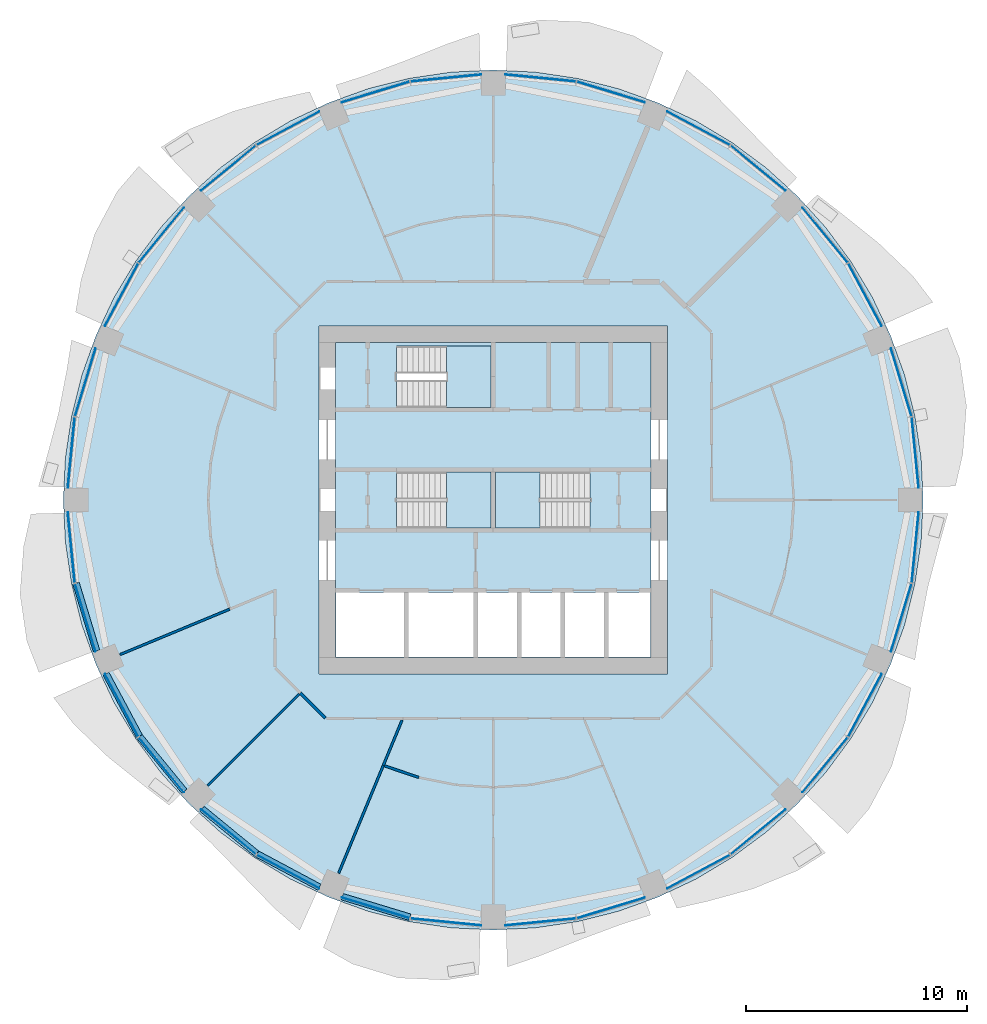
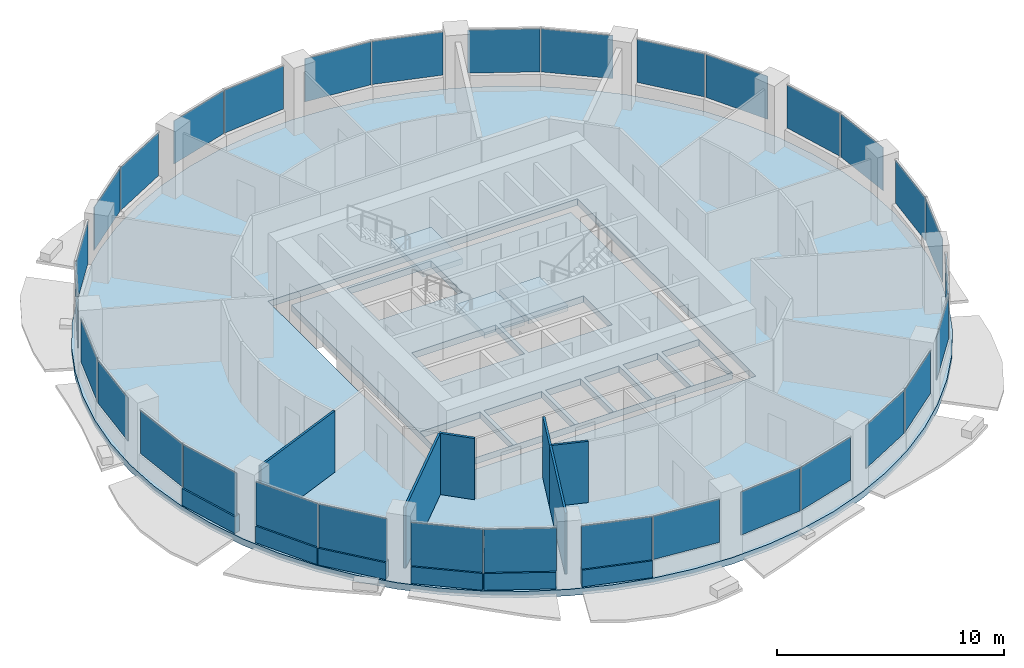
# One storey, part 7 of 15: 32 plates, 12 walls, 5 slabs, 19 elements without a shape of their own.
"""IFC4 building model written with IfcOpenShell, lengths in metres."""

from ifc_helpers import new_model, si_unit, direction, frame, frame_2d, origin, origin_2d, place, context, subcontext, project, spatial, polyline, rectangle, outline, extrude, material, layer, layer_set, type_object, element, aggregate, save


model = new_model("IFC4")

# Units and contexts
model_context = context("Model", 3, precision=1e-05, world=origin(), true_north=direction((0.0, 1.0)))
body_context = subcontext(model_context, "Body", "Model", "MODEL_VIEW")
ifc_project = project(units=[si_unit("LENGTHUNIT", "METRE"), si_unit("AREAUNIT", "SQUARE_METRE"), si_unit("VOLUMEUNIT", "CUBIC_METRE"), si_unit("PLANEANGLEUNIT", "RADIAN"), si_unit("MASSUNIT", "GRAM", prefix="KILO")], contexts=[model_context])

# Site, building, storey
site_placement = place(None, origin())
site = spatial("IfcSite", under=ifc_project, at=site_placement, CompositionType="ELEMENT")
building_placement = place(site_placement, origin())
building = spatial("IfcBuilding", under=site, at=building_placement, Name="Polderwave Tower", CompositionType="ELEMENT")
storey_placement = place(building_placement, frame((0.0, 0.0, 80.050048828125)))
storey = spatial("IfcBuildingStorey", under=building, at=storey_placement, Name="L20", CompositionType="ELEMENT", Elevation=80.050048828125)

# Slab
ifc_material_1 = material(Name="Concrete C40/50", Category="concrete")
ifc_layer_1 = layer(ifc_material_1, 0.35009765625)
ifc_layer_set_1 = layer_set([ifc_layer_1], Name="Core floor slab 350")
slab_type_1 = type_object("IfcSlabType", Name="Core floor slab 350", PredefinedType="FLOOR", material=ifc_layer_set_1)
slab_1_placement = place(storey_placement, frame((0.0, 0.0, -0.35009765625)))
element("IfcSlab", 1, at=slab_1_placement, inside=storey, type_object=slab_type_1, Name="L20 core floor", PredefinedType="FLOOR", context=body_context, shape_type="SweptSolid", body=[
    extrude(outline(polyline([(-7.1240234375, -7.1240234375), (7.1240234375, -7.1240234375), (7.1240234375, 7.1240234375), (-7.1240234375, 7.1240234375), (-7.1240234375, -7.1240234375)]), holes=[polyline([(-7.10400390625, -7.10400390625), (-4.037109375, -7.10400390625), (-4.037109375, -4.174072265625), (-7.10400390625, -4.174072265625), (-7.10400390625, -7.10400390625)]), polyline([(-3.8369140625, -7.10400390625), (-0.89990234375, -7.10400390625), (-0.89990234375, -4.174072265625), (-3.8369140625, -4.174072265625), (-3.8369140625, -7.10400390625)]), polyline([(-0.699951171875, -7.10400390625), (1.068603515625, -7.10400390625), (1.068603515625, -4.174072265625), (-0.699951171875, -4.174072265625), (-0.699951171875, -7.10400390625)]), polyline([(1.2685546875, -7.10400390625), (3.037109375, -7.10400390625), (3.037109375, -4.174072265625), (1.2685546875, -4.174072265625), (1.2685546875, -7.10400390625)]), polyline([(3.237060546875, -7.10400390625), (5.005615234375, -7.10400390625), (5.005615234375, -4.174072265625), (3.237060546875, -4.174072265625), (3.237060546875, -7.10400390625)]), polyline([(5.20556640625, -7.10400390625), (7.10400390625, -7.10400390625), (7.10400390625, -4.174072265625), (5.20556640625, -4.174072265625), (5.20556640625, -7.10400390625)]), polyline([(-4.37353515625, -1.2744140625), (-0.1005859375, -1.2744140625), (-0.1005859375, 1.2744140625), (-4.37353515625, 1.2744140625), (-4.37353515625, -1.2744140625)]), polyline([(0.1005859375, -1.2744140625), (4.37353515625, -1.2744140625), (4.37353515625, 1.2744140625), (0.1005859375, 1.2744140625), (0.1005859375, -1.2744140625)]), polyline([(-4.37353515625, 4.174560546875), (-0.1005859375, 4.174560546875), (-0.1005859375, 6.973388671875), (-4.37353515625, 6.973388671875), (-4.37353515625, 4.174560546875)])]), origin(), (0.0, 0.0, 1.0), 0.35009765625),
])

# Curtain wall, plates
ifc_material_2 = material(Name="Aluminium 6063-T6 and glass", Category="aluminium")
curtain_wall_type = type_object("IfcCurtainWallType", Name="Growing floor ribbon glazing wall", PredefinedType="NOTDEFINED", material=ifc_material_2)
curtain_wall_1_placement = place(storey_placement, origin())
curtain_wall_1 = element("IfcCurtainWall", 2, at=curtain_wall_1_placement, inside=storey, type_object=curtain_wall_type, Name="CW2 L20 00", PredefinedType="NOTDEFINED")
ifc_material_3 = material(Name="Glass, low-e laminated double glazing", Category="glass")
ifc_layer_2 = layer(ifc_material_3, 0.028076171875)
ifc_layer_set_2 = layer_set([ifc_layer_2], Name="Growing floor ribbon glazing glass panel 28 mm")
plate_type = type_object("IfcPlateType", Name="Growing floor ribbon glazing glass panel 28 mm", PredefinedType="CURTAIN_PANEL", material=ifc_layer_set_2)
plate_1_placement = place(storey_placement, frame((19.0791015625, 2.1416015625, 0.89990234375), z_axis=(0.0, 0.0, 1.0), x_axis=(-0.098185620651, 0.995168118409, 0.0)))
plate_1 = element("IfcPlate", 3, at=plate_1_placement, type_object=plate_type, Name="CW2 panel 1", PredefinedType="CURTAIN_PANEL", context=body_context, shape_type="SweptSolid", body=[
    extrude(rectangle(XDim=3.198486328125, YDim=0.028076171875, at=origin_2d()), origin(), (0.0, 0.0, 1.0), 2.320068359375),
])
plate_2_placement = place(storey_placement, frame((18.446044921875, 5.322509765625, 0.89990234375), z_axis=(0.0, 0.0, 1.0), x_axis=(-0.290187805562, 0.956969716085, 0.0)))
plate_2 = element("IfcPlate", 4, at=plate_2_placement, type_object=plate_type, Name="CW2 panel 2", PredefinedType="CURTAIN_PANEL", context=body_context, shape_type="SweptSolid", body=[
    extrude(rectangle(XDim=3.198974609375, YDim=0.028076171875, at=origin_2d()), origin(), (0.0, 0.0, 1.0), 2.320068359375),
])
aggregate(curtain_wall_1, [plate_1, plate_2])

curtain_wall_2_placement = place(storey_placement, origin())
curtain_wall_2 = element("IfcCurtainWall", 5, at=curtain_wall_2_placement, inside=storey, type_object=curtain_wall_type, Name="CW2 L20 01", PredefinedType="NOTDEFINED")
plate_3_placement = place(storey_placement, frame((16.80712890625, 9.27978515625, 0.89990234375), z_axis=(0.0, 0.0, 1.0), x_axis=(-0.471327469438, 0.881958285041, 0.0)))
plate_3 = element("IfcPlate", 6, at=plate_3_placement, type_object=plate_type, Name="CW2 panel 1", PredefinedType="CURTAIN_PANEL", context=body_context, shape_type="SweptSolid", body=[
    extrude(rectangle(XDim=3.19921875, YDim=0.028076171875, at=origin_2d()), origin(), (0.0, 0.0, 1.0), 2.320068359375),
])
plate_4_placement = place(storey_placement, frame((15.005615234375, 11.9765625, 0.89990234375), z_axis=(0.0, 0.0, 1.0), x_axis=(-0.634316379032, 0.773073561371, 0.0)))
plate_4 = element("IfcPlate", 7, at=plate_4_placement, type_object=plate_type, Name="CW2 panel 2", PredefinedType="CURTAIN_PANEL", context=body_context, shape_type="SweptSolid", body=[
    extrude(rectangle(XDim=3.19873046875, YDim=0.028076171875, at=origin_2d()), origin(), (0.0, 0.0, 1.0), 2.320068359375),
])
aggregate(curtain_wall_2, [plate_3, plate_4])

curtain_wall_3_placement = place(storey_placement, origin())
curtain_wall_3 = element("IfcCurtainWall", 8, at=curtain_wall_3_placement, inside=storey, type_object=curtain_wall_type, Name="CW2 L20 02", PredefinedType="NOTDEFINED")
plate_5_placement = place(storey_placement, frame((11.9765625, 15.005615234375, 0.89990234375), z_axis=(0.0, 0.0, 1.0), x_axis=(-0.773073561371, 0.634316379032, 0.0)))
plate_5 = element("IfcPlate", 9, at=plate_5_placement, type_object=plate_type, Name="CW2 panel 1", PredefinedType="CURTAIN_PANEL", context=body_context, shape_type="SweptSolid", body=[
    extrude(rectangle(XDim=3.19873046875, YDim=0.028076171875, at=origin_2d()), origin(), (0.0, 0.0, 1.0), 2.320068359375),
])
plate_6_placement = place(storey_placement, frame((9.27978515625, 16.80712890625, 0.89990234375), z_axis=(0.0, 0.0, 1.0), x_axis=(-0.881958285041, 0.471327469438, 0.0)))
plate_6 = element("IfcPlate", 10, at=plate_6_placement, type_object=plate_type, Name="CW2 panel 2", PredefinedType="CURTAIN_PANEL", context=body_context, shape_type="SweptSolid", body=[
    extrude(rectangle(XDim=3.19921875, YDim=0.028076171875, at=origin_2d()), origin(), (0.0, 0.0, 1.0), 2.320068359375),
])
aggregate(curtain_wall_3, [plate_5, plate_6])

curtain_wall_4_placement = place(storey_placement, origin())
curtain_wall_4 = element("IfcCurtainWall", 11, at=curtain_wall_4_placement, inside=storey, type_object=curtain_wall_type, Name="CW2 L20 03", PredefinedType="NOTDEFINED")
plate_7_placement = place(storey_placement, frame((5.322509765625, 18.446044921875, 0.89990234375), z_axis=(0.0, 0.0, 1.0), x_axis=(-0.956969716085, 0.290187805562, 0.0)))
plate_7 = element("IfcPlate", 12, at=plate_7_placement, type_object=plate_type, Name="CW2 panel 1", PredefinedType="CURTAIN_PANEL", context=body_context, shape_type="SweptSolid", body=[
    extrude(rectangle(XDim=3.198974609375, YDim=0.028076171875, at=origin_2d()), origin(), (0.0, 0.0, 1.0), 2.320068359375),
])
plate_8_placement = place(storey_placement, frame((2.1416015625, 19.0791015625, 0.89990234375), z_axis=(0.0, 0.0, 1.0), x_axis=(-0.995168118409, 0.098185620651, 0.0)))
plate_8 = element("IfcPlate", 13, at=plate_8_placement, type_object=plate_type, Name="CW2 panel 2", PredefinedType="CURTAIN_PANEL", context=body_context, shape_type="SweptSolid", body=[
    extrude(rectangle(XDim=3.198486328125, YDim=0.028076171875, at=origin_2d()), origin(), (0.0, 0.0, 1.0), 2.320068359375),
])
aggregate(curtain_wall_4, [plate_7, plate_8])

curtain_wall_5_placement = place(storey_placement, origin())
curtain_wall_5 = element("IfcCurtainWall", 14, at=curtain_wall_5_placement, inside=storey, type_object=curtain_wall_type, Name="CW2 L20 04", PredefinedType="NOTDEFINED")
plate_9_placement = place(storey_placement, frame((-2.1416015625, 19.0791015625, 0.89990234375), z_axis=(0.0, 0.0, 1.0), x_axis=(-0.995168118409, -0.098185620651, 0.0)))
plate_9 = element("IfcPlate", 15, at=plate_9_placement, type_object=plate_type, Name="CW2 panel 1", PredefinedType="CURTAIN_PANEL", context=body_context, shape_type="SweptSolid", body=[
    extrude(rectangle(XDim=3.198486328125, YDim=0.028076171875, at=origin_2d()), origin(), (0.0, 0.0, 1.0), 2.320068359375),
])
plate_10_placement = place(storey_placement, frame((-5.322509765625, 18.446044921875, 0.89990234375), z_axis=(0.0, 0.0, 1.0), x_axis=(-0.956969716085, -0.290187805562, 0.0)))
plate_10 = element("IfcPlate", 16, at=plate_10_placement, type_object=plate_type, Name="CW2 panel 2", PredefinedType="CURTAIN_PANEL", context=body_context, shape_type="SweptSolid", body=[
    extrude(rectangle(XDim=3.198974609375, YDim=0.028076171875, at=origin_2d()), origin(), (0.0, 0.0, 1.0), 2.320068359375),
])
aggregate(curtain_wall_5, [plate_9, plate_10])

curtain_wall_6_placement = place(storey_placement, origin())
curtain_wall_6 = element("IfcCurtainWall", 17, at=curtain_wall_6_placement, inside=storey, type_object=curtain_wall_type, Name="CW2 L20 05", PredefinedType="NOTDEFINED")
plate_11_placement = place(storey_placement, frame((-9.27978515625, 16.80712890625, 0.89990234375), z_axis=(0.0, 0.0, 1.0), x_axis=(-0.881958285041, -0.471327469438, 0.0)))
plate_11 = element("IfcPlate", 18, at=plate_11_placement, type_object=plate_type, Name="CW2 panel 1", PredefinedType="CURTAIN_PANEL", context=body_context, shape_type="SweptSolid", body=[
    extrude(rectangle(XDim=3.19921875, YDim=0.028076171875, at=origin_2d()), origin(), (0.0, 0.0, 1.0), 2.320068359375),
])
plate_12_placement = place(storey_placement, frame((-11.9765625, 15.005615234375, 0.89990234375), z_axis=(0.0, 0.0, 1.0), x_axis=(-0.773073561371, -0.634316379032, 0.0)))
plate_12 = element("IfcPlate", 19, at=plate_12_placement, type_object=plate_type, Name="CW2 panel 2", PredefinedType="CURTAIN_PANEL", context=body_context, shape_type="SweptSolid", body=[
    extrude(rectangle(XDim=3.19873046875, YDim=0.028076171875, at=origin_2d()), origin(), (0.0, 0.0, 1.0), 2.320068359375),
])
aggregate(curtain_wall_6, [plate_11, plate_12])

curtain_wall_7_placement = place(storey_placement, origin())
curtain_wall_7 = element("IfcCurtainWall", 20, at=curtain_wall_7_placement, inside=storey, type_object=curtain_wall_type, Name="CW2 L20 06", PredefinedType="NOTDEFINED")
plate_13_placement = place(storey_placement, frame((-15.005615234375, 11.9765625, 0.89990234375), z_axis=(0.0, 0.0, 1.0), x_axis=(-0.634316379032, -0.773073561371, 0.0)))
plate_13 = element("IfcPlate", 21, at=plate_13_placement, type_object=plate_type, Name="CW2 panel 1", PredefinedType="CURTAIN_PANEL", context=body_context, shape_type="SweptSolid", body=[
    extrude(rectangle(XDim=3.19873046875, YDim=0.028076171875, at=origin_2d()), origin(), (0.0, 0.0, 1.0), 2.320068359375),
])
plate_14_placement = place(storey_placement, frame((-16.80712890625, 9.27978515625, 0.89990234375), z_axis=(0.0, 0.0, 1.0), x_axis=(-0.471327469438, -0.881958285041, 0.0)))
plate_14 = element("IfcPlate", 22, at=plate_14_placement, type_object=plate_type, Name="CW2 panel 2", PredefinedType="CURTAIN_PANEL", context=body_context, shape_type="SweptSolid", body=[
    extrude(rectangle(XDim=3.19921875, YDim=0.028076171875, at=origin_2d()), origin(), (0.0, 0.0, 1.0), 2.320068359375),
])
aggregate(curtain_wall_7, [plate_13, plate_14])

curtain_wall_8_placement = place(storey_placement, origin())
curtain_wall_8 = element("IfcCurtainWall", 23, at=curtain_wall_8_placement, inside=storey, type_object=curtain_wall_type, Name="CW2 L20 07", PredefinedType="NOTDEFINED")
plate_15_placement = place(storey_placement, frame((-18.446044921875, 5.322509765625, 0.89990234375), z_axis=(0.0, 0.0, 1.0), x_axis=(-0.290187805562, -0.956969716085, 0.0)))
plate_15 = element("IfcPlate", 24, at=plate_15_placement, type_object=plate_type, Name="CW2 panel 1", PredefinedType="CURTAIN_PANEL", context=body_context, shape_type="SweptSolid", body=[
    extrude(rectangle(XDim=3.198974609375, YDim=0.028076171875, at=origin_2d()), origin(), (0.0, 0.0, 1.0), 2.320068359375),
])
plate_16_placement = place(storey_placement, frame((-19.0791015625, 2.1416015625, 0.89990234375), z_axis=(0.0, 0.0, 1.0), x_axis=(-0.098185620651, -0.995168118409, 0.0)))
plate_16 = element("IfcPlate", 25, at=plate_16_placement, type_object=plate_type, Name="CW2 panel 2", PredefinedType="CURTAIN_PANEL", context=body_context, shape_type="SweptSolid", body=[
    extrude(rectangle(XDim=3.198486328125, YDim=0.028076171875, at=origin_2d()), origin(), (0.0, 0.0, 1.0), 2.320068359375),
])
aggregate(curtain_wall_8, [plate_15, plate_16])

curtain_wall_9_placement = place(storey_placement, origin())
curtain_wall_9 = element("IfcCurtainWall", 26, at=curtain_wall_9_placement, inside=storey, type_object=curtain_wall_type, Name="CW2 L20 08", PredefinedType="NOTDEFINED")
plate_17_placement = place(storey_placement, frame((-19.0791015625, -2.1416015625, 0.89990234375), z_axis=(0.0, 0.0, 1.0), x_axis=(0.098185620651, -0.995168118409, 0.0)))
plate_17 = element("IfcPlate", 27, at=plate_17_placement, type_object=plate_type, Name="CW2 panel 1", PredefinedType="CURTAIN_PANEL", context=body_context, shape_type="SweptSolid", body=[
    extrude(rectangle(XDim=3.198486328125, YDim=0.028076171875, at=origin_2d()), origin(), (0.0, 0.0, 1.0), 2.320068359375),
])
plate_18_placement = place(storey_placement, frame((-18.446044921875, -5.322509765625, 0.89990234375), z_axis=(0.0, 0.0, 1.0), x_axis=(0.290187805562, -0.956969716085, 0.0)))
plate_18 = element("IfcPlate", 28, at=plate_18_placement, type_object=plate_type, Name="CW2 panel 2", PredefinedType="CURTAIN_PANEL", context=body_context, shape_type="SweptSolid", body=[
    extrude(rectangle(XDim=3.198974609375, YDim=0.028076171875, at=origin_2d()), origin(), (0.0, 0.0, 1.0), 2.320068359375),
])
aggregate(curtain_wall_9, [plate_17, plate_18])

curtain_wall_10_placement = place(storey_placement, origin())
curtain_wall_10 = element("IfcCurtainWall", 29, at=curtain_wall_10_placement, inside=storey, type_object=curtain_wall_type, Name="CW2 L20 09", PredefinedType="NOTDEFINED")
plate_19_placement = place(storey_placement, frame((-16.80712890625, -9.27978515625, 0.89990234375), z_axis=(0.0, 0.0, 1.0), x_axis=(0.471327469438, -0.881958285041, 0.0)))
plate_19 = element("IfcPlate", 30, at=plate_19_placement, type_object=plate_type, Name="CW2 panel 1", PredefinedType="CURTAIN_PANEL", context=body_context, shape_type="SweptSolid", body=[
    extrude(rectangle(XDim=3.19921875, YDim=0.028076171875, at=origin_2d()), origin(), (0.0, 0.0, 1.0), 2.320068359375),
])
plate_20_placement = place(storey_placement, frame((-15.005615234375, -11.9765625, 0.89990234375), z_axis=(0.0, 0.0, 1.0), x_axis=(0.634316379032, -0.773073561371, 0.0)))
plate_20 = element("IfcPlate", 31, at=plate_20_placement, type_object=plate_type, Name="CW2 panel 2", PredefinedType="CURTAIN_PANEL", context=body_context, shape_type="SweptSolid", body=[
    extrude(rectangle(XDim=3.19873046875, YDim=0.028076171875, at=origin_2d()), origin(), (0.0, 0.0, 1.0), 2.320068359375),
])
aggregate(curtain_wall_10, [plate_19, plate_20])

curtain_wall_11_placement = place(storey_placement, origin())
curtain_wall_11 = element("IfcCurtainWall", 32, at=curtain_wall_11_placement, inside=storey, type_object=curtain_wall_type, Name="CW2 L20 10", PredefinedType="NOTDEFINED")
plate_21_placement = place(storey_placement, frame((-11.9765625, -15.005615234375, 0.89990234375), z_axis=(0.0, 0.0, 1.0), x_axis=(0.773073561371, -0.634316379032, 0.0)))
plate_21 = element("IfcPlate", 33, at=plate_21_placement, type_object=plate_type, Name="CW2 panel 1", PredefinedType="CURTAIN_PANEL", context=body_context, shape_type="SweptSolid", body=[
    extrude(rectangle(XDim=3.19873046875, YDim=0.028076171875, at=origin_2d()), origin(), (0.0, 0.0, 1.0), 2.320068359375),
])
plate_22_placement = place(storey_placement, frame((-9.27978515625, -16.80712890625, 0.89990234375), z_axis=(0.0, 0.0, 1.0), x_axis=(0.881958285041, -0.471327469438, 0.0)))
plate_22 = element("IfcPlate", 34, at=plate_22_placement, type_object=plate_type, Name="CW2 panel 2", PredefinedType="CURTAIN_PANEL", context=body_context, shape_type="SweptSolid", body=[
    extrude(rectangle(XDim=3.19921875, YDim=0.028076171875, at=origin_2d()), origin(), (0.0, 0.0, 1.0), 2.320068359375),
])
aggregate(curtain_wall_11, [plate_21, plate_22])

curtain_wall_12_placement = place(storey_placement, origin())
curtain_wall_12 = element("IfcCurtainWall", 35, at=curtain_wall_12_placement, inside=storey, type_object=curtain_wall_type, Name="CW2 L20 11", PredefinedType="NOTDEFINED")
plate_23_placement = place(storey_placement, frame((-5.322509765625, -18.446044921875, 0.89990234375), z_axis=(0.0, 0.0, 1.0), x_axis=(0.956969716085, -0.290187805562, 0.0)))
plate_23 = element("IfcPlate", 36, at=plate_23_placement, type_object=plate_type, Name="CW2 panel 1", PredefinedType="CURTAIN_PANEL", context=body_context, shape_type="SweptSolid", body=[
    extrude(rectangle(XDim=3.198974609375, YDim=0.028076171875, at=origin_2d()), origin(), (0.0, 0.0, 1.0), 2.320068359375),
])
plate_24_placement = place(storey_placement, frame((-2.1416015625, -19.0791015625, 0.89990234375), z_axis=(0.0, 0.0, 1.0), x_axis=(0.995168118409, -0.098185620651, 0.0)))
plate_24 = element("IfcPlate", 37, at=plate_24_placement, type_object=plate_type, Name="CW2 panel 2", PredefinedType="CURTAIN_PANEL", context=body_context, shape_type="SweptSolid", body=[
    extrude(rectangle(XDim=3.198486328125, YDim=0.028076171875, at=origin_2d()), origin(), (0.0, 0.0, 1.0), 2.320068359375),
])
aggregate(curtain_wall_12, [plate_23, plate_24])

curtain_wall_13_placement = place(storey_placement, origin())
curtain_wall_13 = element("IfcCurtainWall", 38, at=curtain_wall_13_placement, inside=storey, type_object=curtain_wall_type, Name="CW2 L20 12", PredefinedType="NOTDEFINED")
plate_25_placement = place(storey_placement, frame((2.1416015625, -19.0791015625, 0.89990234375), z_axis=(0.0, 0.0, 1.0), x_axis=(0.995168118409, 0.098185620651, 0.0)))
plate_25 = element("IfcPlate", 39, at=plate_25_placement, type_object=plate_type, Name="CW2 panel 1", PredefinedType="CURTAIN_PANEL", context=body_context, shape_type="SweptSolid", body=[
    extrude(rectangle(XDim=3.198486328125, YDim=0.028076171875, at=origin_2d()), origin(), (0.0, 0.0, 1.0), 2.320068359375),
])
plate_26_placement = place(storey_placement, frame((5.322509765625, -18.446044921875, 0.89990234375), z_axis=(0.0, 0.0, 1.0), x_axis=(0.956969716085, 0.290187805562, 0.0)))
plate_26 = element("IfcPlate", 40, at=plate_26_placement, type_object=plate_type, Name="CW2 panel 2", PredefinedType="CURTAIN_PANEL", context=body_context, shape_type="SweptSolid", body=[
    extrude(rectangle(XDim=3.198974609375, YDim=0.028076171875, at=origin_2d()), origin(), (0.0, 0.0, 1.0), 2.320068359375),
])
aggregate(curtain_wall_13, [plate_25, plate_26])

curtain_wall_14_placement = place(storey_placement, origin())
curtain_wall_14 = element("IfcCurtainWall", 41, at=curtain_wall_14_placement, inside=storey, type_object=curtain_wall_type, Name="CW2 L20 13", PredefinedType="NOTDEFINED")
plate_27_placement = place(storey_placement, frame((9.27978515625, -16.80712890625, 0.89990234375), z_axis=(0.0, 0.0, 1.0), x_axis=(0.881958285041, 0.471327469438, 0.0)))
plate_27 = element("IfcPlate", 42, at=plate_27_placement, type_object=plate_type, Name="CW2 panel 1", PredefinedType="CURTAIN_PANEL", context=body_context, shape_type="SweptSolid", body=[
    extrude(rectangle(XDim=3.19921875, YDim=0.028076171875, at=origin_2d()), origin(), (0.0, 0.0, 1.0), 2.320068359375),
])
plate_28_placement = place(storey_placement, frame((11.9765625, -15.005615234375, 0.89990234375), z_axis=(0.0, 0.0, 1.0), x_axis=(0.773073561371, 0.634316379032, 0.0)))
plate_28 = element("IfcPlate", 43, at=plate_28_placement, type_object=plate_type, Name="CW2 panel 2", PredefinedType="CURTAIN_PANEL", context=body_context, shape_type="SweptSolid", body=[
    extrude(rectangle(XDim=3.19873046875, YDim=0.028076171875, at=origin_2d()), origin(), (0.0, 0.0, 1.0), 2.320068359375),
])
aggregate(curtain_wall_14, [plate_27, plate_28])

curtain_wall_15_placement = place(storey_placement, origin())
curtain_wall_15 = element("IfcCurtainWall", 44, at=curtain_wall_15_placement, inside=storey, type_object=curtain_wall_type, Name="CW2 L20 14", PredefinedType="NOTDEFINED")
plate_29_placement = place(storey_placement, frame((15.005615234375, -11.9765625, 0.89990234375), z_axis=(0.0, 0.0, 1.0), x_axis=(0.634316379032, 0.773073561371, 0.0)))
plate_29 = element("IfcPlate", 45, at=plate_29_placement, type_object=plate_type, Name="CW2 panel 1", PredefinedType="CURTAIN_PANEL", context=body_context, shape_type="SweptSolid", body=[
    extrude(rectangle(XDim=3.19873046875, YDim=0.028076171875, at=origin_2d()), origin(), (0.0, 0.0, 1.0), 2.320068359375),
])
plate_30_placement = place(storey_placement, frame((16.80712890625, -9.27978515625, 0.89990234375), z_axis=(0.0, 0.0, 1.0), x_axis=(0.471327469438, 0.881958285041, 0.0)))
plate_30 = element("IfcPlate", 46, at=plate_30_placement, type_object=plate_type, Name="CW2 panel 2", PredefinedType="CURTAIN_PANEL", context=body_context, shape_type="SweptSolid", body=[
    extrude(rectangle(XDim=3.19921875, YDim=0.028076171875, at=origin_2d()), origin(), (0.0, 0.0, 1.0), 2.320068359375),
])
aggregate(curtain_wall_15, [plate_29, plate_30])

curtain_wall_16_placement = place(storey_placement, origin())
curtain_wall_16 = element("IfcCurtainWall", 47, at=curtain_wall_16_placement, inside=storey, type_object=curtain_wall_type, Name="CW2 L20 15", PredefinedType="NOTDEFINED")
plate_31_placement = place(storey_placement, frame((18.446044921875, -5.322509765625, 0.89990234375), z_axis=(0.0, 0.0, 1.0), x_axis=(0.290187805562, 0.956969716085, 0.0)))
plate_31 = element("IfcPlate", 48, at=plate_31_placement, type_object=plate_type, Name="CW2 panel 1", PredefinedType="CURTAIN_PANEL", context=body_context, shape_type="SweptSolid", body=[
    extrude(rectangle(XDim=3.198974609375, YDim=0.028076171875, at=origin_2d()), origin(), (0.0, 0.0, 1.0), 2.320068359375),
])
plate_32_placement = place(storey_placement, frame((19.0791015625, -2.1416015625, 0.89990234375), z_axis=(0.0, 0.0, 1.0), x_axis=(0.098185620651, 0.995168118409, 0.0)))
plate_32 = element("IfcPlate", 49, at=plate_32_placement, type_object=plate_type, Name="CW2 panel 2", PredefinedType="CURTAIN_PANEL", context=body_context, shape_type="SweptSolid", body=[
    extrude(rectangle(XDim=3.198486328125, YDim=0.028076171875, at=origin_2d()), origin(), (0.0, 0.0, 1.0), 2.320068359375),
])
aggregate(curtain_wall_16, [plate_31, plate_32])

# Slab
ifc_layer_3 = layer(ifc_material_1, 0.35009765625)
ifc_layer_set_3 = layer_set([ifc_layer_3], Name="PT FLOOR SLAB 350 C40/50")
slab_type_2 = type_object("IfcSlabType", Name="PT FLOOR SLAB 350 C40/50", PredefinedType="FLOOR", material=ifc_layer_set_3)
slab_2_placement = place(storey_placement, frame((0.0, 0.0, -0.35009765625)))
element("IfcSlab", 50, at=slab_2_placement, inside=storey, type_object=slab_type_2, Name="ST-SLAB-L20", PredefinedType="FLOOR", context=body_context, shape_type="SweptSolid", body=[
    extrude(outline(polyline([(19.43994140625, 0.0), (19.346435546875, 1.905517578125), (19.06640625, 3.79248046875), (18.602783203125, 5.64306640625), (17.960205078125, 7.439453125), (17.14453125, 9.1640625), (16.163818359375, 10.80029296875), (15.02734375, 12.33251953125), (13.74609375, 13.74609375), (12.33251953125, 15.02734375), (10.80029296875, 16.163818359375), (9.1640625, 17.14453125), (7.439453125, 17.960205078125), (5.64306640625, 18.602783203125), (3.79248046875, 19.06640625), (1.905517578125, 19.346435546875), (0.0, 19.43994140625), (-1.905517578125, 19.346435546875), (-3.79248046875, 19.06640625), (-5.64306640625, 18.602783203125), (-7.439453125, 17.960205078125), (-9.1640625, 17.14453125), (-10.80029296875, 16.163818359375), (-12.33251953125, 15.02734375), (-13.74609375, 13.74609375), (-15.02734375, 12.33251953125), (-16.163818359375, 10.80029296875), (-17.14453125, 9.1640625), (-17.960205078125, 7.439453125), (-18.602783203125, 5.64306640625), (-19.06640625, 3.79248046875), (-19.346435546875, 1.905517578125), (-19.43994140625, 0.0), (-19.346435546875, -1.905517578125), (-19.06640625, -3.79248046875), (-18.602783203125, -5.64306640625), (-17.960205078125, -7.439453125), (-17.14453125, -9.1640625), (-16.163818359375, -10.80029296875), (-15.02734375, -12.33251953125), (-13.74609375, -13.74609375), (-12.33251953125, -15.02734375), (-10.80029296875, -16.163818359375), (-9.1640625, -17.14453125), (-7.439453125, -17.960205078125), (-5.64306640625, -18.602783203125), (-3.79248046875, -19.06640625), (-1.905517578125, -19.346435546875), (0.0, -19.43994140625), (1.905517578125, -19.346435546875), (3.79248046875, -19.06640625), (5.64306640625, -18.602783203125), (7.439453125, -17.960205078125), (9.1640625, -17.14453125), (10.80029296875, -16.163818359375), (12.33251953125, -15.02734375), (13.74609375, -13.74609375), (15.02734375, -12.33251953125), (16.163818359375, -10.80029296875), (17.14453125, -9.1640625), (17.960205078125, -7.439453125), (18.602783203125, -5.64306640625), (19.06640625, -3.79248046875), (19.346435546875, -1.905517578125), (19.43994140625, 0.0)]), holes=[polyline([(-7.8740234375, -7.8740234375), (7.8740234375, -7.8740234375), (7.8740234375, 7.8740234375), (-7.8740234375, 7.8740234375), (-7.8740234375, -7.8740234375)])]), origin(), (0.0, 0.0, 1.0), 0.35009765625),
])

# Stair, slab
stair_type = type_object("IfcStairType", Name="Exit stair 1200 x 20 risers", PredefinedType="HALF_TURN_STAIR", material=ifc_material_1)
stair_1_placement = place(storey_placement, origin())
stair_1 = element("IfcStair", 51, at=stair_1_placement, inside=storey, type_object=stair_type, Name="L20 Exit stair A", PredefinedType="HALF_TURN_STAIR")
ifc_layer_4 = layer(ifc_material_1, 0.300048828125)
ifc_layer_set_4 = layer_set([ifc_layer_4], Name="Stair landing 300")
slab_type_3 = type_object("IfcSlabType", Name="Stair landing 300", PredefinedType="LANDING", material=ifc_layer_set_4)
slab_3_placement = place(storey_placement, frame((0.0, 0.0, 1.52490234375)))
slab_3 = element("IfcSlab", 52, at=slab_3_placement, type_object=slab_type_3, Name="ST-A landing 1", PredefinedType="LANDING", context=body_context, shape_type="SweptSolid", body=[
    extrude(outline(polyline([(-2.1240234375, -1.27490234375), (-0.10009765625, -1.27490234375), (-0.10009765625, 1.27490234375), (-2.1240234375, 1.27490234375), (-2.1240234375, -1.27490234375)])), origin(), (0.0, 0.0, 1.0), 0.300048828125),
])
aggregate(stair_1, [slab_3])

stair_2_placement = place(storey_placement, origin())
stair_2 = element("IfcStair", 53, at=stair_2_placement, inside=storey, type_object=stair_type, Name="L20 Exit stair B", PredefinedType="HALF_TURN_STAIR")
slab_4_placement = place(storey_placement, frame((0.0, 0.0, 1.52490234375)))
slab_4 = element("IfcSlab", 54, at=slab_4_placement, type_object=slab_type_3, Name="ST-B landing 1", PredefinedType="LANDING", context=body_context, shape_type="SweptSolid", body=[
    extrude(outline(polyline([(2.1240234375, 1.27490234375), (0.10009765625, 1.27490234375), (0.10009765625, -1.27490234375), (2.1240234375, -1.27490234375), (2.1240234375, 1.27490234375)])), origin(), (0.0, 0.0, 1.0), 0.300048828125),
])
aggregate(stair_2, [slab_4])

stair_3_placement = place(storey_placement, origin())
stair_3 = element("IfcStair", 55, at=stair_3_placement, inside=storey, type_object=stair_type, Name="L20 Exit stair C", PredefinedType="HALF_TURN_STAIR")
slab_5_placement = place(storey_placement, frame((0.0, 0.0, 1.52490234375)))
slab_5 = element("IfcSlab", 56, at=slab_5_placement, type_object=slab_type_3, Name="ST-C landing 1", PredefinedType="LANDING", context=body_context, shape_type="SweptSolid", body=[
    extrude(outline(polyline([(-2.1240234375, 4.174072265625), (-0.10009765625, 4.174072265625), (-0.10009765625, 6.97412109375), (-2.1240234375, 6.97412109375), (-2.1240234375, 4.174072265625)])), origin(), (0.0, 0.0, 1.0), 0.300048828125),
])
aggregate(stair_3, [slab_5])

# Walls
ifc_material_4 = material(Name="Concrete C50/60 (board-marked)", Category="concrete")
ifc_layer_5 = layer(ifc_material_4, 0.300048828125)
ifc_layer_set_5 = layer_set([ifc_layer_5], Name="Concrete spandrel upstand C50/60")
wall_type_1 = type_object("IfcWallType", Name="Concrete spandrel upstand C50/60", PredefinedType="SOLIDWALL", material=ifc_layer_set_5)
wall_1_placement = place(storey_placement, frame((-18.865478515625, -3.767333984375, 0.0), z_axis=(0.0, 0.0, 1.0), x_axis=(0.290238876314, -0.956954228099, 0.0)))
element("IfcWall", 57, at=wall_1_placement, inside=storey, type_object=wall_type_1, Name="Spandrel L20 9b", PredefinedType="SOLIDWALL", context=body_context, shape_type="SweptSolid", body=[
    extrude(rectangle(XDim=3.190673828125, YDim=0.300048828125, at=frame_2d((1.59521484375, 0.0))), origin(), (0.0, 0.0, 1.0), 0.89990234375),
])
for number, where, z_axis, x_axis, name in (
    (58, (-17.5078125, -7.8623046875, 0.0), (0.0, 0.0, 1.0), (0.471354692163, -0.8819437364, 0.0), "Spandrel L20 10a"),
    (59, (-15.987548828125, -10.70068359375, 0.0), (0.0, 0.0, 1.0), (0.63411253447, -0.773240773387, 0.0), "Spandrel L20 10b"),
    (60, (-13.16748046875, -13.964599609375, 0.0), (0.0, 0.0, 1.0), (0.773240773387, -0.63411253447, 0.0), "Spandrel L20 11a"),
    (61, (-10.67578125, -16.004150390625, 0.0), (0.0, 0.0, 1.0), (0.8819437364, -0.471354692163, 0.0), "Spandrel L20 11b"),
):
    element("IfcWall", number, at=place(storey_placement, frame(where, z_axis=z_axis, x_axis=x_axis)), inside=storey, type_object=wall_type_1, Name=name, PredefinedType="SOLIDWALL", context=body_context, shape_type="SweptSolid", body=[
        extrude(rectangle(XDim=3.190185546875, YDim=0.300048828125, at=frame_2d((1.59521484375, 0.0))), origin(), (0.0, 0.0, 1.0), 0.89990234375),
    ])
wall_2_placement = place(storey_placement, frame((-6.820556640625, -17.939453125, 0.0), z_axis=(0.0, 0.0, 1.0), x_axis=(0.956954228099, -0.290238876314, 0.0)))
element("IfcWall", 62, at=wall_2_placement, inside=storey, type_object=wall_type_1, Name="Spandrel L20 12a", PredefinedType="SOLIDWALL", context=body_context, shape_type="SweptSolid", body=[
    extrude(rectangle(XDim=3.190673828125, YDim=0.300048828125, at=frame_2d((1.59521484375, 0.0))), origin(), (0.0, 0.0, 1.0), 0.89990234375),
])
ifc_material_5 = material(Name="Fire-resisting board on steel studs", Category="steel")
ifc_layer_6 = layer(ifc_material_5, 0.125)
ifc_layer_set_6 = layer_set([ifc_layer_6], Name="Corridor wall 125 mm EI 60")
wall_type_2 = type_object("IfcWallType", Name="Corridor wall 125 mm EI 60", PredefinedType="PARTITIONING", material=ifc_layer_set_6)
wall_3_placement = place(storey_placement, frame((-7.58935546875, -9.855712890625, 0.0), z_axis=(0.0, 0.0, 1.0), x_axis=(-0.707030604857, 0.70718294931, 0.0)))
element("IfcWall", 63, at=wall_3_placement, inside=storey, type_object=wall_type_2, Name="IN-L20-W016", PredefinedType="PARTITIONING", context=body_context, shape_type="SweptSolid", body=[
    extrude(rectangle(XDim=1.6025390625, YDim=0.125, at=frame_2d((0.80126953125, 0.0))), origin(), (0.0, 0.0, 1.0), 3.300048828125),
])
ifc_material_6 = material(Name="Moisture-resistant board on steel studs, tiled", Category="steel")
ifc_layer_7 = layer(ifc_material_6, 0.10498046875)
ifc_layer_set_7 = layer_set([ifc_layer_7], Name="Partition 105 mm wet room board and tile")
wall_type_3 = type_object("IfcWallType", Name="Partition 105 mm wet room board and tile", PredefinedType="PARTITIONING", material=ifc_layer_set_7)
wall_4_placement = place(storey_placement, frame((-11.90869140625, -4.932861328125, 0.0), z_axis=(0.0, 0.0, 1.0), x_axis=(-0.923889947991, -0.382658286204, 0.0)))
element("IfcWall", 64, at=wall_4_placement, inside=storey, type_object=wall_type_3, Name="IN-L20-W052", PredefinedType="PARTITIONING", context=body_context, shape_type="SweptSolid", body=[
    extrude(rectangle(XDim=5.3701171875, YDim=0.10498046875, at=frame_2d((2.68505859375, 0.0))), origin(), (0.0, 0.0, 1.0), 3.300048828125),
])
wall_5_placement = place(storey_placement, frame((-12.911865234375, -12.911865234375, 0.0), z_axis=(0.0, 0.0, 1.0), x_axis=(0.707106781187, 0.707106781187, 0.0)))
element("IfcWall", 65, at=wall_5_placement, inside=storey, type_object=wall_type_3, Name="IN-L20-W053", PredefinedType="PARTITIONING", context=body_context, shape_type="SweptSolid", body=[
    extrude(rectangle(XDim=5.8623046875, YDim=0.10498046875, at=frame_2d((2.93115234375, 0.0))), origin(), (0.0, 0.0, 1.0), 3.300048828125),
])
wall_6_placement = place(storey_placement, frame((-4.1240234375, -9.95654296875, 0.0), z_axis=(0.0, 0.0, 1.0), x_axis=(-0.382679799248, -0.923881037389, 0.0)))
element("IfcWall", 66, at=wall_6_placement, inside=storey, type_object=wall_type_3, Name="IN-L20-W054", PredefinedType="PARTITIONING", context=body_context, shape_type="SweptSolid", body=[
    extrude(rectangle(XDim=2.213134765625, YDim=0.10498046875, at=frame_2d((1.1064453125, 0.0))), origin(), (0.0, 0.0, 1.0), 3.300048828125),
])
wall_7_placement = place(storey_placement, frame((-4.970947265625, -12.001220703125, 0.0), z_axis=(0.0, 0.0, 1.0), x_axis=(-0.382696833945, -0.923873981281, 0.0)))
element("IfcWall", 67, at=wall_7_placement, inside=storey, type_object=wall_type_3, Name="IN-L20-W055", PredefinedType="PARTITIONING", context=body_context, shape_type="SweptSolid", body=[
    extrude(rectangle(XDim=5.27001953125, YDim=0.10498046875, at=frame_2d((2.635009765625, 0.0))), origin(), (0.0, 0.0, 1.0), 3.300048828125),
])
ifc_material_7 = material(Name="Acoustic double plasterboard on steel studs", Category="steel")
ifc_layer_8 = layer(ifc_material_7, 0.110107421875)
ifc_layer_set_8 = layer_set([ifc_layer_8], Name="Partition 110 mm acoustic double board")
wall_type_4 = type_object("IfcWallType", Name="Partition 110 mm acoustic double board", PredefinedType="PARTITIONING", material=ifc_layer_set_8)
wall_8_placement = place(storey_placement, frame((-3.365478515625, -12.546142578125, 0.0), z_axis=(0.0, 0.0, 1.0), x_axis=(-0.946941470356, 0.321406054267, 0.0)))
element("IfcWall", 68, at=wall_8_placement, inside=storey, type_object=wall_type_4, Name="IN-L20-W056", PredefinedType="PARTITIONING", context=body_context, shape_type="SweptSolid", body=[
    extrude(rectangle(XDim=1.63916015625, YDim=0.110107421875, at=frame_2d((0.819580078125, 0.0))), origin(), (0.0, 0.0, 1.0), 3.300048828125),
])

save(model, "model.ifc")
